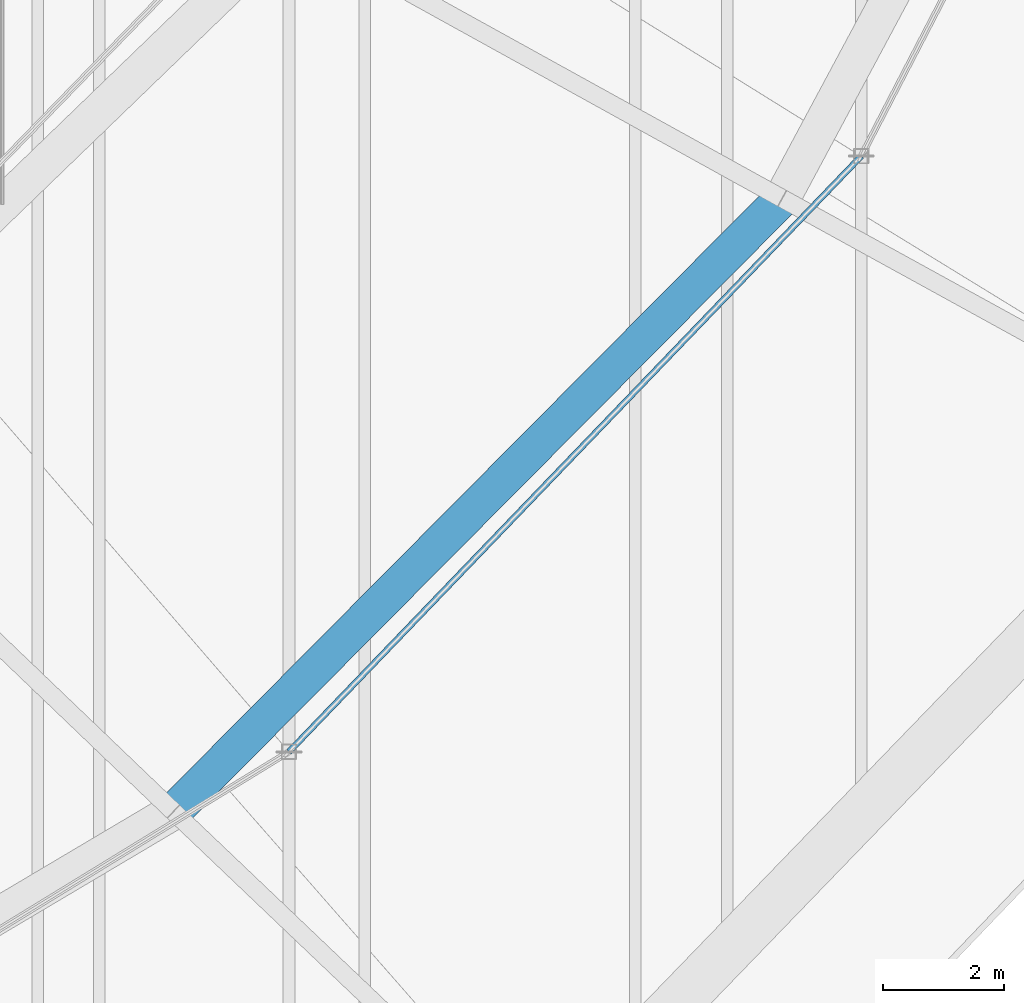
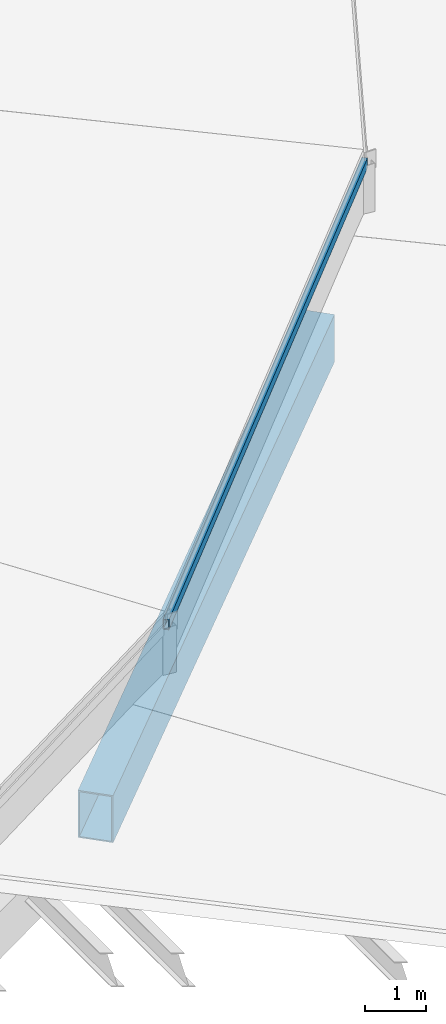
# One storey, part 41 of 184: 1 beam, 1 member.
"""IFC4 building model written with IfcOpenShell, lengths in metres."""

from ifc_helpers import new_model, si_unit, direction, frame, origin, origin_2d, place, context, subcontext, project, spatial, hollow_rectangle, extrude, material, material_profile, profile_set, type_object, element, save


model = new_model("IFC4")

# Units and contexts
model_context = context("Model", 3, precision=1e-05, world=origin(), true_north=direction((0.0, 1.0)))
body_context = subcontext(model_context, "Body", "Model", "MODEL_VIEW")
ifc_project = project(units=[si_unit("LENGTHUNIT", "METRE"), si_unit("AREAUNIT", "SQUARE_METRE"), si_unit("VOLUMEUNIT", "CUBIC_METRE"), si_unit("PLANEANGLEUNIT", "RADIAN"), si_unit("MASSUNIT", "GRAM", prefix="KILO")], contexts=[model_context])

# Site, building, storey
site_placement = place(None, origin())
site = spatial("IfcSite", under=ifc_project, at=site_placement, CompositionType="ELEMENT")
building_placement = place(site_placement, origin())
building = spatial("IfcBuilding", under=site, at=building_placement, Name="Kalgoora Escarpment Arena", CompositionType="ELEMENT")
storey_placement = place(building_placement, frame((0.0, 0.0, 27.60009765625)))
storey = spatial("IfcBuildingStorey", under=building, at=storey_placement, Name="Roof Level", CompositionType="ELEMENT", Elevation=27.60009765625)

# Beam
ifc_material_1 = material(Name="Structural steel Grade 350 (350 MPa)", Category="steel")
ifc_material_profile_1 = material_profile(ifc_material_1, hollow_rectangle(XDim=0.60009765625, YDim=0.949951171875, WallThickness=0.02490234375, at=origin_2d()))
ifc_profile_set_1 = profile_set([ifc_material_profile_1], Name="Structural steel Grade 350 (350 MPa)")
beam_type = type_object("IfcBeamType", Name="BM-RING-BOX950", PredefinedType="USERDEFINED", material=ifc_profile_set_1)
beam_placement = place(storey_placement, frame((137.230712890625, 29.351806640625, -1.35009765625), z_axis=(0.704549829117, 0.709654520377, 0.0), x_axis=(-0.709654520377, 0.704549829117, 0.0)))
element("IfcBeam", 1, at=beam_placement, inside=storey, type_object=beam_type, Name="Concourse roof RING BEAM chord 22", ObjectType="GIRDER", PredefinedType="USERDEFINED", context=body_context, shape_type="SweptSolid", body=[
    extrude(hollow_rectangle(XDim=0.60009765625, YDim=0.949951171875, WallThickness=0.02490234375, at=origin_2d()), origin(), (0.0, 0.0, 1.0), 14.30029296875),
])

# Member
ifc_material_2 = material(Name="Structural steel C350 (350 MPa)", Category="steel")
ifc_material_profile_2 = material_profile(ifc_material_2, hollow_rectangle(XDim=0.10009765625, YDim=0.199951171875, WallThickness=0.009033203125, at=origin_2d()))
ifc_profile_set_2 = profile_set([ifc_material_profile_2], Name="Structural steel C350 (350 MPa)")
member_type = type_object("IfcMemberType", Name="MEM-PURLIN-RHS", PredefinedType="PURLIN", material=ifc_profile_set_2)
member_placement = place(storey_placement, frame((139.1435546875, 30.341796875, 1.244873046875), z_axis=(0.692821359996, 0.721109258804, 0.0), x_axis=(-0.721109258804, 0.692821359996, 0.0)))
element("IfcMember", 2, at=member_placement, inside=storey, type_object=member_type, Name="Petal RP2 eave support ring purlin S22", PredefinedType="PURLIN", context=body_context, shape_type="SweptSolid", body=[
    extrude(hollow_rectangle(XDim=0.10009765625, YDim=0.199951171875, WallThickness=0.009033203125, at=origin_2d()), origin(), (0.0, 0.0, 1.0), 13.6708984375),
])

save(model, "model.ifc")
